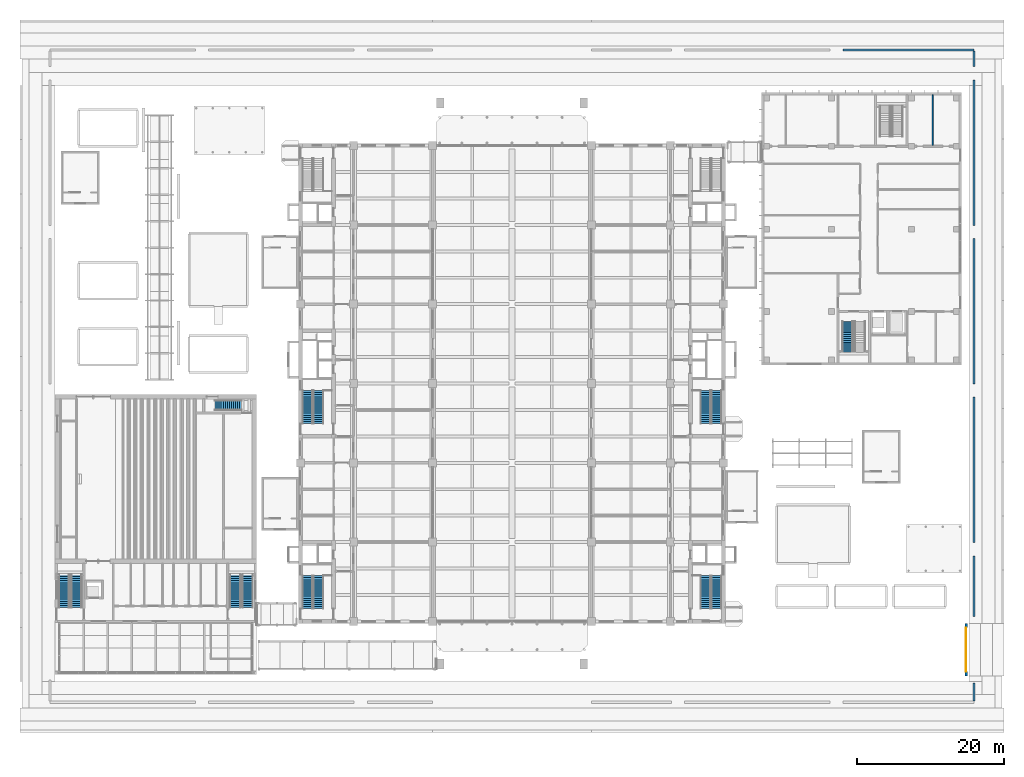
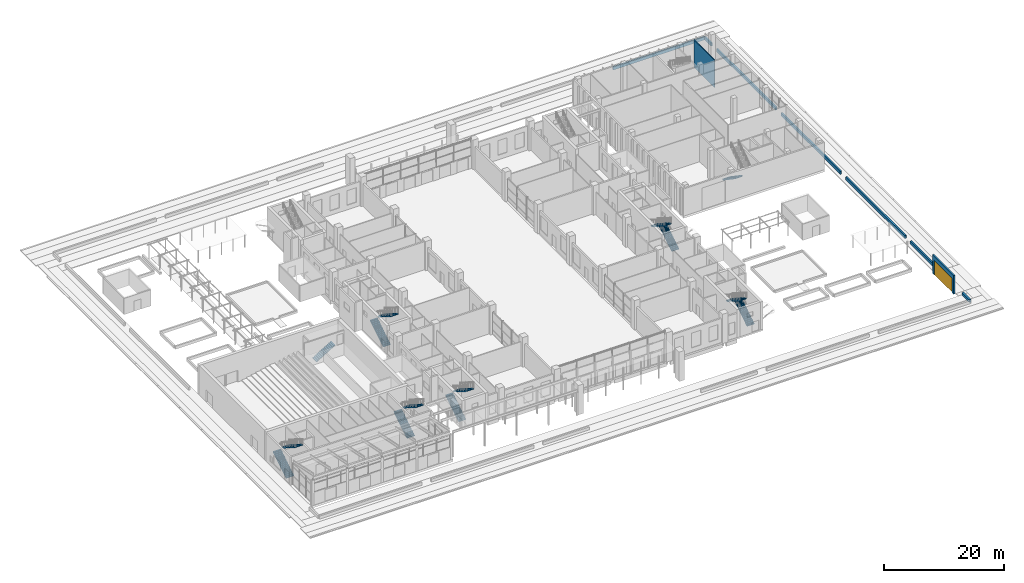
# One storey, part 58 of 71: 14 stair flights, 9 walls, 1 door, 1 opening, 8 elements without a shape of their own.
"""IFC4 building model written with IfcOpenShell, lengths in metres."""

from ifc_helpers import new_model, si_unit, direction, frame, frame_2d, origin, place, context, subcontext, project, spatial, polyline, rectangle, outline, extrude, material, layer, layer_set, type_object, element, fill, aggregate, save


model = new_model("IFC4")

# Units and contexts
model_context = context("Model", 3, precision=1e-05, world=origin(), true_north=direction((0.0, 1.0)))
body_context = subcontext(model_context, "Body", "Model", "MODEL_VIEW")
ifc_project = project(units=[si_unit("LENGTHUNIT", "METRE"), si_unit("AREAUNIT", "SQUARE_METRE"), si_unit("VOLUMEUNIT", "CUBIC_METRE"), si_unit("PLANEANGLEUNIT", "RADIAN"), si_unit("MASSUNIT", "GRAM", prefix="KILO")], contexts=[model_context])

# Site, building, storey
site_placement = place(None, origin())
site = spatial("IfcSite", under=ifc_project, at=site_placement, CompositionType="ELEMENT")
building_placement = place(site_placement, origin())
building = spatial("IfcBuilding", under=site, at=building_placement, Name="Basin Gate Institute", CompositionType="ELEMENT")
storey_placement = place(building_placement, origin())
storey = spatial("IfcBuildingStorey", under=building, at=storey_placement, Name="L00", CompositionType="ELEMENT", Elevation=0.0)

# Walls
ifc_material_1 = material(Name="Gypsum board partition on steel studs, 60 minute", Category="steel")
ifc_layer_1 = layer(ifc_material_1, 0.14990234375)
ifc_layer_set_1 = layer_set([ifc_layer_1], Name="Gypsum board partition on steel studs, 60 minute")
wall_type_1 = type_object("IfcWallType", Name="Clean block partition PW72 EI 60", PredefinedType="SOLIDWALL", material=ifc_layer_set_1)
wall_1_placement = place(storey_placement, frame((147.300048828125, 99.925048828125, 0.0), z_axis=(0.0, 0.0, 1.0), x_axis=(0.0, 1.0, 0.0)))
element("IfcWall", 1, at=wall_1_placement, inside=storey, type_object=wall_type_1, material=ifc_layer_set_1, Name="Clean block partition Cy14730-22 L00", PredefinedType="SOLIDWALL", context=body_context, shape_type="SweptSolid", body=[
    extrude(rectangle(XDim=6.875, YDim=0.14990234375, at=frame_2d((3.4375, 0.0))), origin(), (0.0, 0.0, 1.0), 5.550048828125),
])
ifc_material_2 = material(Name="Concrete 35 MPa", Category="concrete")
ifc_layer_2 = layer(ifc_material_2, 0.300048828125)
ifc_layer_set_2 = layer_set([ifc_layer_2], Name="Concrete 35 MPa")
wall_type_2 = type_object("IfcWallType", Name="Edge planter wall PL2", PredefinedType="SOLIDWALL", material=ifc_layer_set_2)
wall_2_placement = place(storey_placement, frame((135.090087890625, 112.909912109375, 0.0), z_axis=(0.0, 0.0, 1.0), x_axis=(1.0, 0.0, 0.0)))
element("IfcWall", 2, at=wall_2_placement, inside=storey, type_object=wall_type_2, material=ifc_layer_set_2, Name="Edge planter wall N12", PredefinedType="SOLIDWALL", context=body_context, shape_type="SweptSolid", body=[
    extrude(rectangle(XDim=17.81982421875, YDim=0.300048828125, at=frame_2d((8.909912109375, 0.0))), origin(), (0.0, 0.0, 1.0), 0.60009765625),
])
wall_3_placement = place(storey_placement, frame((152.909912109375, 24.239990234375, 0.0), z_axis=(0.0, 0.0, 1.0), x_axis=(0.0, 1.0, 0.0)))
element("IfcWall", 3, at=wall_3_placement, inside=storey, type_object=wall_type_2, material=ifc_layer_set_2, Name="Edge planter wall E17", PredefinedType="SOLIDWALL", context=body_context, shape_type="SweptSolid", body=[
    extrude(rectangle(XDim=2.4599609375, YDim=0.300048828125, at=frame_2d((1.22998046875, 0.0))), origin(), (0.0, 0.0, 1.0), 0.60009765625),
])
wall_4_placement = place(storey_placement, frame((152.909912109375, 35.800048828125, 0.0), z_axis=(0.0, 0.0, 1.0), x_axis=(0.0, 1.0, 0.0)))
element("IfcWall", 4, at=wall_4_placement, inside=storey, type_object=wall_type_2, material=ifc_layer_set_2, Name="Edge planter wall E18", PredefinedType="SOLIDWALL", context=body_context, shape_type="SweptSolid", body=[
    extrude(rectangle(XDim=8.239990234375, YDim=0.300048828125, at=frame_2d((4.1201171875, 0.0))), origin(), (0.0, 0.0, 1.0), 0.60009765625),
])
wall_5_placement = place(storey_placement, frame((152.909912109375, 45.840087890625, 0.0), z_axis=(0.0, 0.0, 1.0), x_axis=(0.0, 1.0, 0.0)))
element("IfcWall", 5, at=wall_5_placement, inside=storey, type_object=wall_type_2, material=ifc_layer_set_2, Name="Edge planter wall E19", PredefinedType="SOLIDWALL", context=body_context, shape_type="SweptSolid", body=[
    extrude(rectangle(XDim=19.7998046875, YDim=0.300048828125, at=frame_2d((9.89990234375, 0.0))), origin(), (0.0, 0.0, 1.0), 0.60009765625),
])
for number, where, z_axis, x_axis, name in (
    (6, (152.909912109375, 67.43994140625, 0.0), (0.0, 0.0, 1.0), (0.0, 1.0, 0.0), "Edge planter wall E20"),
    (7, (152.909912109375, 89.0400390625, 0.0), (0.0, 0.0, 1.0), (0.0, 1.0, 0.0), "Edge planter wall E21"),
):
    element("IfcWall", number, at=place(storey_placement, frame(where, z_axis=z_axis, x_axis=x_axis)), inside=storey, type_object=wall_type_2, material=ifc_layer_set_2, Name=name, PredefinedType="SOLIDWALL", context=body_context, shape_type="SweptSolid", body=[
        extrude(rectangle(XDim=19.800048828125, YDim=0.300048828125, at=frame_2d((9.89990234375, 0.0))), origin(), (0.0, 0.0, 1.0), 0.60009765625),
    ])
wall_6_placement = place(storey_placement, frame((152.909912109375, 110.639892578125, 0.0), z_axis=(0.0, 0.0, 1.0), x_axis=(0.0, 1.0, 0.0)))
element("IfcWall", 8, at=wall_6_placement, inside=storey, type_object=wall_type_2, material=ifc_layer_set_2, Name="Edge planter wall E22", PredefinedType="SOLIDWALL", context=body_context, shape_type="SweptSolid", body=[
    extrude(rectangle(XDim=2.1201171875, YDim=0.300048828125, at=frame_2d((1.06005859375, 0.0))), origin(), (0.0, 0.0, 1.0), 0.60009765625),
])

# Wall, opening, door
ifc_material_3 = material(Name="Concrete 35 MPa", Category="concrete")
ifc_layer_3 = layer(ifc_material_3, 0.300048828125)
ifc_layer_set_3 = layer_set([ifc_layer_3], Name="Concrete 35 MPa")
wall_type_3 = type_object("IfcWallType", Name="Gate wall GW1 R180", PredefinedType="SOLIDWALL", material=ifc_layer_set_3)
wall_7_placement = place(storey_placement, frame((151.85009765625, 27.699951171875, 0.0), z_axis=(0.0, 0.0, 1.0), x_axis=(0.0, 1.0, 0.0)))
wall_7 = element("IfcWall", 9, at=wall_7_placement, inside=storey, type_object=wall_type_3, material=ifc_layer_set_3, Name="Vehicle gate wall R1 R180", PredefinedType="SOLIDWALL", context=body_context, shape_type="SweptSolid", body=[
    extrude(rectangle(XDim=7.10009765625, YDim=0.300048828125, at=frame_2d((3.550048828125, 0.0))), origin(), (0.0, 0.0, 1.0), 3.800048828125),
])
opening_placement = place(wall_7_placement, frame((0.550048828125, 0.0, 0.0)))
opening = element("IfcOpeningElement", 10, at=opening_placement, cuts=wall_7, Name="Opening VG1", PredefinedType="OPENING", context=body_context, shape_type="SweptSolid", body=[
    extrude(rectangle(XDim=6.0, YDim=3.0, at=frame_2d((3.0, 1.5))), frame((0.0, 0.16015625, 0.0), z_axis=(0.0, -1.0, 0.0), x_axis=(1.0, 0.0, 0.0)), (0.0, 0.0, 1.0), 0.320068359375),
])
ifc_material_4 = material(Name="Galvanised steel", Category="steel")
door_type = type_object("IfcDoorType", Name="Vehicle gate VG1", OperationType="SLIDING_TO_LEFT", PredefinedType="GATE", material=ifc_material_4)
door_placement = place(opening_placement, origin())
door = element("IfcDoor", 11, at=door_placement, inside=storey, type_object=door_type, material=ifc_material_4, Name="Vehicle gate VG1", OperationType="SLIDING_TO_LEFT", OverallHeight=3.0, OverallWidth=6.0, PredefinedType="GATE", context=body_context, shape_type="SweptSolid", body=[
    extrude(rectangle(XDim=6.0, YDim=3.0, at=frame_2d((3.0, 1.5))), frame((0.0, 0.02490234375, 0.0), z_axis=(0.0, -1.0, 0.0), x_axis=(1.0, 0.0, 0.0)), (0.0, 0.0, 1.0), 0.050048828125),
])
fill(opening, door)

# Stair, stair flights
ifc_material_5 = material(Name="Concrete 40 MPa", Category="concrete")
stair_type_1 = type_object("IfcStairType", Name="Block stair ST", PredefinedType="HALF_TURN_STAIR", material=ifc_material_5)
stair_1_placement = place(storey_placement, origin())
stair_1 = element("IfcStair", 12, at=stair_1_placement, inside=storey, type_object=stair_type_1, material=ifc_material_5, Name="Theatre stair ST-T1 L00", PredefinedType="HALF_TURN_STAIR")
ifc_material_6 = material(Name="Concrete 40 MPa", Category="concrete")
stair_flight_type_1 = type_object("IfcStairFlightType", Name="Block stair flight", PredefinedType="STRAIGHT", material=ifc_material_6)
stair_flight_1_placement = place(storey_placement, frame((28.987548828125, 37.0, 0.0), z_axis=(0.0, 0.0, 1.0), x_axis=(0.0, 1.0, 0.0)))
stair_flight_1 = element("IfcStairFlight", 13, at=stair_flight_1_placement, type_object=stair_flight_type_1, material=ifc_material_6, Name="ST-T1 flight 1", NumberOfRisers=17, NumberOfTreads=16, PredefinedType="STRAIGHT", RiserHeight=0.176470588, TreadLength=0.28, context=body_context, shape_type="SweptSolid", body=[
    extrude(outline(polyline([(0.0, 0.0), (0.0, 0.176513671875), (0.280029296875, 0.176513671875), (0.280029296875, 0.35302734375), (0.56005859375, 0.35302734375), (0.56005859375, 0.529296875), (0.840087890625, 0.529296875), (0.840087890625, 0.705810546875), (1.1201171875, 0.705810546875), (1.1201171875, 0.88232421875), (1.39990234375, 0.88232421875), (1.39990234375, 1.058837890625), (1.679931640625, 1.058837890625), (1.679931640625, 1.2353515625), (1.9599609375, 1.2353515625), (1.9599609375, 1.411865234375), (2.239990234375, 1.411865234375), (2.239990234375, 1.588134765625), (2.52001953125, 1.588134765625), (2.52001953125, 1.7646484375), (2.800048828125, 1.7646484375), (2.800048828125, 1.941162109375), (3.080078125, 1.941162109375), (3.080078125, 2.11767578125), (3.360107421875, 2.11767578125), (3.360107421875, 2.294189453125), (3.639892578125, 2.294189453125), (3.639892578125, 2.470703125), (3.919921875, 2.470703125), (3.919921875, 2.64697265625), (4.199951171875, 2.64697265625), (4.199951171875, 2.823486328125), (4.47998046875, 2.823486328125), (4.47998046875, 3.0), (4.47998046875, 2.646240234375), (0.28125, 0.0), (0.0, 0.0)])), frame((0.0, 0.75, 0.0), z_axis=(0.0, -1.0, 0.0), x_axis=(1.0, 0.0, 0.0)), (0.0, 0.0, 1.0), 1.5),
])
stair_flight_2_placement = place(storey_placement, frame((30.6875, 41.47998046875, 3.0), z_axis=(0.0, 0.0, 1.0), x_axis=(0.0, -1.0, 0.0)))
stair_flight_2 = element("IfcStairFlight", 14, at=stair_flight_2_placement, type_object=stair_flight_type_1, material=ifc_material_6, Name="ST-T1 flight 2", NumberOfRisers=17, NumberOfTreads=16, PredefinedType="STRAIGHT", RiserHeight=0.176470588, TreadLength=0.28, context=body_context, shape_type="SweptSolid", body=[
    extrude(outline(polyline([(0.0, 0.0), (0.0, 0.176513671875), (0.280029296875, 0.176513671875), (0.280029296875, 0.35302734375), (0.56005859375, 0.35302734375), (0.56005859375, 0.529296875), (0.840087890625, 0.529296875), (0.840087890625, 0.705810546875), (1.1201171875, 0.705810546875), (1.1201171875, 0.88232421875), (1.39990234375, 0.88232421875), (1.39990234375, 1.058837890625), (1.679931640625, 1.058837890625), (1.679931640625, 1.2353515625), (1.9599609375, 1.2353515625), (1.9599609375, 1.411865234375), (2.239990234375, 1.411865234375), (2.239990234375, 1.588134765625), (2.52001953125, 1.588134765625), (2.52001953125, 1.7646484375), (2.800048828125, 1.7646484375), (2.800048828125, 1.941162109375), (3.080078125, 1.941162109375), (3.080078125, 2.11767578125), (3.360107421875, 2.11767578125), (3.360107421875, 2.294189453125), (3.639892578125, 2.294189453125), (3.639892578125, 2.470703125), (3.919921875, 2.470703125), (3.919921875, 2.64697265625), (4.199951171875, 2.64697265625), (4.199951171875, 2.823486328125), (4.47998046875, 2.823486328125), (4.47998046875, 3.0), (4.47998046875, 2.646240234375), (0.28125, 0.0), (0.0, 0.0)])), frame((0.0, 0.75, 0.0), z_axis=(0.0, -1.0, 0.0), x_axis=(1.0, 0.0, 0.0)), (0.0, 0.0, 1.0), 1.5),
])
aggregate(stair_1, [stair_flight_1, stair_flight_2])

stair_2_placement = place(storey_placement, origin())
stair_2 = element("IfcStair", 15, at=stair_2_placement, inside=storey, type_object=stair_type_1, material=ifc_material_5, Name="Theatre stair ST-T3 L00", PredefinedType="HALF_TURN_STAIR")
stair_flight_3_placement = place(storey_placement, frame((52.3125, 37.0, 0.0), z_axis=(0.0, 0.0, 1.0), x_axis=(0.0, 1.0, 0.0)))
stair_flight_3 = element("IfcStairFlight", 16, at=stair_flight_3_placement, type_object=stair_flight_type_1, material=ifc_material_6, Name="ST-T3 flight 1", NumberOfRisers=17, NumberOfTreads=16, PredefinedType="STRAIGHT", RiserHeight=0.176470588, TreadLength=0.28, context=body_context, shape_type="SweptSolid", body=[
    extrude(outline(polyline([(0.0, 0.0), (0.0, 0.176513671875), (0.280029296875, 0.176513671875), (0.280029296875, 0.35302734375), (0.56005859375, 0.35302734375), (0.56005859375, 0.529296875), (0.840087890625, 0.529296875), (0.840087890625, 0.705810546875), (1.1201171875, 0.705810546875), (1.1201171875, 0.88232421875), (1.39990234375, 0.88232421875), (1.39990234375, 1.058837890625), (1.679931640625, 1.058837890625), (1.679931640625, 1.2353515625), (1.9599609375, 1.2353515625), (1.9599609375, 1.411865234375), (2.239990234375, 1.411865234375), (2.239990234375, 1.588134765625), (2.52001953125, 1.588134765625), (2.52001953125, 1.7646484375), (2.800048828125, 1.7646484375), (2.800048828125, 1.941162109375), (3.080078125, 1.941162109375), (3.080078125, 2.11767578125), (3.360107421875, 2.11767578125), (3.360107421875, 2.294189453125), (3.639892578125, 2.294189453125), (3.639892578125, 2.470703125), (3.919921875, 2.470703125), (3.919921875, 2.64697265625), (4.199951171875, 2.64697265625), (4.199951171875, 2.823486328125), (4.47998046875, 2.823486328125), (4.47998046875, 3.0), (4.47998046875, 2.646240234375), (0.28125, 0.0), (0.0, 0.0)])), frame((0.0, 0.75, 0.0), z_axis=(0.0, -1.0, 0.0), x_axis=(1.0, 0.0, 0.0)), (0.0, 0.0, 1.0), 1.5),
])
stair_flight_4_placement = place(storey_placement, frame((54.012451171875, 41.47998046875, 3.0), z_axis=(0.0, 0.0, 1.0), x_axis=(0.0, -1.0, 0.0)))
stair_flight_4 = element("IfcStairFlight", 17, at=stair_flight_4_placement, type_object=stair_flight_type_1, material=ifc_material_6, Name="ST-T3 flight 2", NumberOfRisers=17, NumberOfTreads=16, PredefinedType="STRAIGHT", RiserHeight=0.176470588, TreadLength=0.28, context=body_context, shape_type="SweptSolid", body=[
    extrude(outline(polyline([(0.0, 0.0), (0.0, 0.176513671875), (0.280029296875, 0.176513671875), (0.280029296875, 0.35302734375), (0.56005859375, 0.35302734375), (0.56005859375, 0.529296875), (0.840087890625, 0.529296875), (0.840087890625, 0.705810546875), (1.1201171875, 0.705810546875), (1.1201171875, 0.88232421875), (1.39990234375, 0.88232421875), (1.39990234375, 1.058837890625), (1.679931640625, 1.058837890625), (1.679931640625, 1.2353515625), (1.9599609375, 1.2353515625), (1.9599609375, 1.411865234375), (2.239990234375, 1.411865234375), (2.239990234375, 1.588134765625), (2.52001953125, 1.588134765625), (2.52001953125, 1.7646484375), (2.800048828125, 1.7646484375), (2.800048828125, 1.941162109375), (3.080078125, 1.941162109375), (3.080078125, 2.11767578125), (3.360107421875, 2.11767578125), (3.360107421875, 2.294189453125), (3.639892578125, 2.294189453125), (3.639892578125, 2.470703125), (3.919921875, 2.470703125), (3.919921875, 2.64697265625), (4.199951171875, 2.64697265625), (4.199951171875, 2.823486328125), (4.47998046875, 2.823486328125), (4.47998046875, 3.0), (4.47998046875, 2.646240234375), (0.28125, 0.0), (0.0, 0.0)])), frame((0.0, 0.75, 0.0), z_axis=(0.0, -1.0, 0.0), x_axis=(1.0, 0.0, 0.0)), (0.0, 0.0, 1.0), 1.5),
])
aggregate(stair_2, [stair_flight_3, stair_flight_4])

# Stair, stair flight
stair_3_placement = place(storey_placement, origin())
stair_3 = element("IfcStair", 18, at=stair_3_placement, inside=storey, type_object=stair_type_1, material=ifc_material_5, Name="Clean block stair ST-C1 L00", PredefinedType="HALF_TURN_STAIR")
stair_flight_5_placement = place(storey_placement, frame((135.699951171875, 75.97509765625, 0.0), z_axis=(0.0, 0.0, 1.0), x_axis=(0.0, -1.0, 0.0)))
stair_flight_5 = element("IfcStairFlight", 19, at=stair_flight_5_placement, type_object=stair_flight_type_1, material=ifc_material_6, Name="ST-C1 flight 1", NumberOfRisers=17, NumberOfTreads=16, PredefinedType="STRAIGHT", RiserHeight=0.176470588, TreadLength=0.26, context=body_context, shape_type="SweptSolid", body=[
    extrude(outline(polyline([(0.0, 0.0), (0.0, 0.176513671875), (0.260009765625, 0.176513671875), (0.260009765625, 0.35302734375), (0.52001953125, 0.35302734375), (0.52001953125, 0.529296875), (0.780029296875, 0.529296875), (0.780029296875, 0.705810546875), (1.0400390625, 0.705810546875), (1.0400390625, 0.88232421875), (1.300048828125, 0.88232421875), (1.300048828125, 1.058837890625), (1.56005859375, 1.058837890625), (1.56005859375, 1.2353515625), (1.820068359375, 1.2353515625), (1.820068359375, 1.411865234375), (2.080078125, 1.411865234375), (2.080078125, 1.588134765625), (2.340087890625, 1.588134765625), (2.340087890625, 1.7646484375), (2.60009765625, 1.7646484375), (2.60009765625, 1.941162109375), (2.860107421875, 1.941162109375), (2.860107421875, 2.11767578125), (3.1201171875, 2.11767578125), (3.1201171875, 2.294189453125), (3.3798828125, 2.294189453125), (3.3798828125, 2.470703125), (3.639892578125, 2.470703125), (3.639892578125, 2.64697265625), (3.89990234375, 2.64697265625), (3.89990234375, 2.823486328125), (4.159912109375, 2.823486328125), (4.159912109375, 3.0), (4.159912109375, 2.642333984375), (0.266845703125, 0.0), (0.0, 0.0)])), frame((0.0, 0.75, 0.0), z_axis=(0.0, -1.0, 0.0), x_axis=(1.0, 0.0, 0.0)), (0.0, 0.0, 1.0), 1.5),
])
aggregate(stair_3, [stair_flight_5])

ifc_material_7 = material(Name="Concrete 40 MPa", Category="concrete")
stair_type_2 = type_object("IfcStairType", Name="Block stair straight ST", PredefinedType="STRAIGHT_RUN_STAIR", material=ifc_material_7)
stair_4_placement = place(storey_placement, origin())
stair_4 = element("IfcStair", 20, at=stair_4_placement, inside=storey, type_object=stair_type_2, material=ifc_material_7, Name="Theatre rear stair ST-T7 L00", PredefinedType="STRAIGHT_RUN_STAIR")
ifc_material_8 = material(Name="Structural steel SN490", Category="steel")
stair_flight_type_2 = type_object("IfcStairFlightType", Name="Block steel stair flight", PredefinedType="STRAIGHT", material=ifc_material_8)
stair_flight_6_placement = place(storey_placement, frame((49.56005859375, 64.512451171875, 0.0), z_axis=(0.0, 0.0, 1.0), x_axis=(1.0, 0.0, 0.0)))
stair_flight_6 = element("IfcStairFlight", 21, at=stair_flight_6_placement, type_object=stair_flight_type_2, material=ifc_material_8, Name="ST-T7 flight 1", NumberOfRisers=14, NumberOfTreads=13, PredefinedType="STRAIGHT", RiserHeight=0.171428571, TreadLength=0.28, context=body_context, shape_type="SweptSolid", body=[
    extrude(outline(polyline([(0.0, 0.0), (0.0, 0.17138671875), (0.280029296875, 0.17138671875), (0.280029296875, 0.3427734375), (0.56005859375, 0.3427734375), (0.56005859375, 0.514404296875), (0.840087890625, 0.514404296875), (0.840087890625, 0.685791015625), (1.1201171875, 0.685791015625), (1.1201171875, 0.857177734375), (1.39990234375, 0.857177734375), (1.39990234375, 1.028564453125), (1.679931640625, 1.028564453125), (1.679931640625, 1.199951171875), (1.9599609375, 1.199951171875), (1.9599609375, 1.371337890625), (2.239990234375, 1.371337890625), (2.239990234375, 1.54296875), (2.52001953125, 1.54296875), (2.52001953125, 1.71435546875), (2.800048828125, 1.71435546875), (2.800048828125, 1.8857421875), (3.080078125, 1.8857421875), (3.080078125, 2.05712890625), (3.360107421875, 2.05712890625), (3.360107421875, 2.228515625), (3.639892578125, 2.228515625), (3.639892578125, 2.39990234375), (3.639892578125, 2.169921875), (0.095947265625, 0.0), (0.0, 0.0)])), frame((0.0, 0.699951171875, 0.0), z_axis=(0.0, -1.0, 0.0), x_axis=(1.0, 0.0, 0.0)), (0.0, 0.0, 1.0), 1.39990234375),
])
aggregate(stair_4, [stair_flight_6])

# Stair, stair flights
ifc_material_9 = material(Name="Concrete 40 MPa", Category="concrete")
stair_type_3 = type_object("IfcStairType", Name="Stair ST", PredefinedType="HALF_TURN_STAIR", material=ifc_material_9)
stair_5_placement = place(storey_placement, origin())
stair_5 = element("IfcStair", 22, at=stair_5_placement, inside=storey, type_object=stair_type_3, material=ifc_material_9, Name="Special safe stair ST-WS L00", PredefinedType="HALF_TURN_STAIR")
ifc_material_10 = material(Name="Concrete 40 MPa", Category="concrete")
stair_flight_type_3 = type_object("IfcStairFlightType", Name="Stair flight FL", PredefinedType="STRAIGHT", material=ifc_material_10)
stair_flight_7_placement = place(storey_placement, frame((62.14990234375, 36.85009765625, 0.0), z_axis=(0.0, 0.0, 1.0), x_axis=(0.0, 1.0, 0.0)))
stair_flight_7 = element("IfcStairFlight", 23, at=stair_flight_7_placement, type_object=stair_flight_type_3, material=ifc_material_10, Name="Stair flight ST-WS-F1 L00", NumberOfRisers=17, NumberOfTreads=16, PredefinedType="STRAIGHT", RiserHeight=0.176470588, TreadLength=0.28, context=body_context, shape_type="SweptSolid", body=[
    extrude(outline(polyline([(0.0, 0.0), (0.0, 0.176513671875), (0.280029296875, 0.176513671875), (0.280029296875, 0.35302734375), (0.56005859375, 0.35302734375), (0.56005859375, 0.529296875), (0.840087890625, 0.529296875), (0.840087890625, 0.705810546875), (1.1201171875, 0.705810546875), (1.1201171875, 0.88232421875), (1.39990234375, 0.88232421875), (1.39990234375, 1.058837890625), (1.679931640625, 1.058837890625), (1.679931640625, 1.2353515625), (1.9599609375, 1.2353515625), (1.9599609375, 1.411865234375), (2.239990234375, 1.411865234375), (2.239990234375, 1.588134765625), (2.52001953125, 1.588134765625), (2.52001953125, 1.7646484375), (2.800048828125, 1.7646484375), (2.800048828125, 1.941162109375), (3.080078125, 1.941162109375), (3.080078125, 2.11767578125), (3.360107421875, 2.11767578125), (3.360107421875, 2.294189453125), (3.639892578125, 2.294189453125), (3.639892578125, 2.470703125), (3.919921875, 2.470703125), (3.919921875, 2.64697265625), (4.199951171875, 2.64697265625), (4.199951171875, 2.823486328125), (4.47998046875, 2.823486328125), (4.47998046875, 3.0), (4.47998046875, 2.646240234375), (0.28125, 0.0), (0.0, 0.0)])), frame((0.0, 0.699951171875, 0.0), z_axis=(0.0, -1.0, 0.0), x_axis=(1.0, 0.0, 0.0)), (0.0, 0.0, 1.0), 1.39990234375),
])
stair_flight_8_placement = place(storey_placement, frame((63.64990234375, 41.330078125, 3.0), z_axis=(0.0, 0.0, 1.0), x_axis=(0.0, -1.0, 0.0)))
stair_flight_8 = element("IfcStairFlight", 24, at=stair_flight_8_placement, type_object=stair_flight_type_3, material=ifc_material_10, Name="Stair flight ST-WS-F2 L00", NumberOfRisers=17, NumberOfTreads=16, PredefinedType="STRAIGHT", RiserHeight=0.176470588, TreadLength=0.28, context=body_context, shape_type="SweptSolid", body=[
    extrude(outline(polyline([(0.0, 0.0), (0.0, 0.176513671875), (0.280029296875, 0.176513671875), (0.280029296875, 0.35302734375), (0.56005859375, 0.35302734375), (0.56005859375, 0.529296875), (0.840087890625, 0.529296875), (0.840087890625, 0.705810546875), (1.1201171875, 0.705810546875), (1.1201171875, 0.88232421875), (1.39990234375, 0.88232421875), (1.39990234375, 1.058837890625), (1.679931640625, 1.058837890625), (1.679931640625, 1.2353515625), (1.9599609375, 1.2353515625), (1.9599609375, 1.411865234375), (2.239990234375, 1.411865234375), (2.239990234375, 1.588134765625), (2.52001953125, 1.588134765625), (2.52001953125, 1.7646484375), (2.800048828125, 1.7646484375), (2.800048828125, 1.941162109375), (3.080078125, 1.941162109375), (3.080078125, 2.11767578125), (3.360107421875, 2.11767578125), (3.360107421875, 2.294189453125), (3.639892578125, 2.294189453125), (3.639892578125, 2.470703125), (3.919921875, 2.470703125), (3.919921875, 2.64697265625), (4.199951171875, 2.64697265625), (4.199951171875, 2.823486328125), (4.47998046875, 2.823486328125), (4.47998046875, 3.0), (4.47998046875, 2.646240234375), (0.28125, 0.0), (0.0, 0.0)])), frame((0.0, 0.699951171875, 0.0), z_axis=(0.0, -1.0, 0.0), x_axis=(1.0, 0.0, 0.0)), (0.0, 0.0, 1.0), 1.39990234375),
])
aggregate(stair_5, [stair_flight_7, stair_flight_8])

stair_6_placement = place(storey_placement, origin())
stair_6 = element("IfcStair", 25, at=stair_6_placement, inside=storey, type_object=stair_type_3, material=ifc_material_9, Name="Special safe stair ST-WM L00", PredefinedType="HALF_TURN_STAIR")
stair_flight_9_placement = place(storey_placement, frame((62.14990234375, 62.050048828125, 0.0), z_axis=(0.0, 0.0, 1.0), x_axis=(0.0, 1.0, 0.0)))
stair_flight_9 = element("IfcStairFlight", 26, at=stair_flight_9_placement, type_object=stair_flight_type_3, material=ifc_material_10, Name="Stair flight ST-WM-F1 L00", NumberOfRisers=17, NumberOfTreads=16, PredefinedType="STRAIGHT", RiserHeight=0.176470588, TreadLength=0.28, context=body_context, shape_type="SweptSolid", body=[
    extrude(outline(polyline([(0.0, 0.0), (0.0, 0.176513671875), (0.280029296875, 0.176513671875), (0.280029296875, 0.35302734375), (0.56005859375, 0.35302734375), (0.56005859375, 0.529296875), (0.840087890625, 0.529296875), (0.840087890625, 0.705810546875), (1.1201171875, 0.705810546875), (1.1201171875, 0.88232421875), (1.39990234375, 0.88232421875), (1.39990234375, 1.058837890625), (1.679931640625, 1.058837890625), (1.679931640625, 1.2353515625), (1.9599609375, 1.2353515625), (1.9599609375, 1.411865234375), (2.239990234375, 1.411865234375), (2.239990234375, 1.588134765625), (2.52001953125, 1.588134765625), (2.52001953125, 1.7646484375), (2.800048828125, 1.7646484375), (2.800048828125, 1.941162109375), (3.080078125, 1.941162109375), (3.080078125, 2.11767578125), (3.360107421875, 2.11767578125), (3.360107421875, 2.294189453125), (3.639892578125, 2.294189453125), (3.639892578125, 2.470703125), (3.919921875, 2.470703125), (3.919921875, 2.64697265625), (4.199951171875, 2.64697265625), (4.199951171875, 2.823486328125), (4.47998046875, 2.823486328125), (4.47998046875, 3.0), (4.47998046875, 2.646240234375), (0.28125, 0.0), (0.0, 0.0)])), frame((0.0, 0.699951171875, 0.0), z_axis=(0.0, -1.0, 0.0), x_axis=(1.0, 0.0, 0.0)), (0.0, 0.0, 1.0), 1.39990234375),
])
stair_flight_10_placement = place(storey_placement, frame((63.64990234375, 66.530029296875, 3.0), z_axis=(0.0, 0.0, 1.0), x_axis=(0.0, -1.0, 0.0)))
stair_flight_10 = element("IfcStairFlight", 27, at=stair_flight_10_placement, type_object=stair_flight_type_3, material=ifc_material_10, Name="Stair flight ST-WM-F2 L00", NumberOfRisers=17, NumberOfTreads=16, PredefinedType="STRAIGHT", RiserHeight=0.176470588, TreadLength=0.28, context=body_context, shape_type="SweptSolid", body=[
    extrude(outline(polyline([(0.0, 0.0), (0.0, 0.176513671875), (0.280029296875, 0.176513671875), (0.280029296875, 0.35302734375), (0.56005859375, 0.35302734375), (0.56005859375, 0.529296875), (0.840087890625, 0.529296875), (0.840087890625, 0.705810546875), (1.1201171875, 0.705810546875), (1.1201171875, 0.88232421875), (1.39990234375, 0.88232421875), (1.39990234375, 1.058837890625), (1.679931640625, 1.058837890625), (1.679931640625, 1.2353515625), (1.9599609375, 1.2353515625), (1.9599609375, 1.411865234375), (2.239990234375, 1.411865234375), (2.239990234375, 1.588134765625), (2.52001953125, 1.588134765625), (2.52001953125, 1.7646484375), (2.800048828125, 1.7646484375), (2.800048828125, 1.941162109375), (3.080078125, 1.941162109375), (3.080078125, 2.11767578125), (3.360107421875, 2.11767578125), (3.360107421875, 2.294189453125), (3.639892578125, 2.294189453125), (3.639892578125, 2.470703125), (3.919921875, 2.470703125), (3.919921875, 2.64697265625), (4.199951171875, 2.64697265625), (4.199951171875, 2.823486328125), (4.47998046875, 2.823486328125), (4.47998046875, 3.0), (4.47998046875, 2.646240234375), (0.28125, 0.0), (0.0, 0.0)])), frame((0.0, 0.699951171875, 0.0), z_axis=(0.0, -1.0, 0.0), x_axis=(1.0, 0.0, 0.0)), (0.0, 0.0, 1.0), 1.39990234375),
])
aggregate(stair_6, [stair_flight_9, stair_flight_10])

stair_7_placement = place(storey_placement, origin())
stair_7 = element("IfcStair", 28, at=stair_7_placement, inside=storey, type_object=stair_type_3, material=ifc_material_9, Name="Special safe stair ST-ES L00", PredefinedType="HALF_TURN_STAIR")
stair_flight_11_placement = place(storey_placement, frame((117.85009765625, 36.85009765625, 0.0), z_axis=(0.0, 0.0, 1.0), x_axis=(0.0, 1.0, 0.0)))
stair_flight_11 = element("IfcStairFlight", 29, at=stair_flight_11_placement, type_object=stair_flight_type_3, material=ifc_material_10, Name="Stair flight ST-ES-F1 L00", NumberOfRisers=17, NumberOfTreads=16, PredefinedType="STRAIGHT", RiserHeight=0.176470588, TreadLength=0.28, context=body_context, shape_type="SweptSolid", body=[
    extrude(outline(polyline([(0.0, 0.0), (0.0, 0.176513671875), (0.280029296875, 0.176513671875), (0.280029296875, 0.35302734375), (0.56005859375, 0.35302734375), (0.56005859375, 0.529296875), (0.840087890625, 0.529296875), (0.840087890625, 0.705810546875), (1.1201171875, 0.705810546875), (1.1201171875, 0.88232421875), (1.39990234375, 0.88232421875), (1.39990234375, 1.058837890625), (1.679931640625, 1.058837890625), (1.679931640625, 1.2353515625), (1.9599609375, 1.2353515625), (1.9599609375, 1.411865234375), (2.239990234375, 1.411865234375), (2.239990234375, 1.588134765625), (2.52001953125, 1.588134765625), (2.52001953125, 1.7646484375), (2.800048828125, 1.7646484375), (2.800048828125, 1.941162109375), (3.080078125, 1.941162109375), (3.080078125, 2.11767578125), (3.360107421875, 2.11767578125), (3.360107421875, 2.294189453125), (3.639892578125, 2.294189453125), (3.639892578125, 2.470703125), (3.919921875, 2.470703125), (3.919921875, 2.64697265625), (4.199951171875, 2.64697265625), (4.199951171875, 2.823486328125), (4.47998046875, 2.823486328125), (4.47998046875, 3.0), (4.47998046875, 2.646240234375), (0.28125, 0.0), (0.0, 0.0)])), frame((0.0, 0.699951171875, 0.0), z_axis=(0.0, -1.0, 0.0), x_axis=(1.0, 0.0, 0.0)), (0.0, 0.0, 1.0), 1.39990234375),
])
stair_flight_12_placement = place(storey_placement, frame((116.35009765625, 41.330078125, 3.0), z_axis=(0.0, 0.0, 1.0), x_axis=(0.0, -1.0, 0.0)))
stair_flight_12 = element("IfcStairFlight", 30, at=stair_flight_12_placement, type_object=stair_flight_type_3, material=ifc_material_10, Name="Stair flight ST-ES-F2 L00", NumberOfRisers=17, NumberOfTreads=16, PredefinedType="STRAIGHT", RiserHeight=0.176470588, TreadLength=0.28, context=body_context, shape_type="SweptSolid", body=[
    extrude(outline(polyline([(0.0, 0.0), (0.0, 0.176513671875), (0.280029296875, 0.176513671875), (0.280029296875, 0.35302734375), (0.56005859375, 0.35302734375), (0.56005859375, 0.529296875), (0.840087890625, 0.529296875), (0.840087890625, 0.705810546875), (1.1201171875, 0.705810546875), (1.1201171875, 0.88232421875), (1.39990234375, 0.88232421875), (1.39990234375, 1.058837890625), (1.679931640625, 1.058837890625), (1.679931640625, 1.2353515625), (1.9599609375, 1.2353515625), (1.9599609375, 1.411865234375), (2.239990234375, 1.411865234375), (2.239990234375, 1.588134765625), (2.52001953125, 1.588134765625), (2.52001953125, 1.7646484375), (2.800048828125, 1.7646484375), (2.800048828125, 1.941162109375), (3.080078125, 1.941162109375), (3.080078125, 2.11767578125), (3.360107421875, 2.11767578125), (3.360107421875, 2.294189453125), (3.639892578125, 2.294189453125), (3.639892578125, 2.470703125), (3.919921875, 2.470703125), (3.919921875, 2.64697265625), (4.199951171875, 2.64697265625), (4.199951171875, 2.823486328125), (4.47998046875, 2.823486328125), (4.47998046875, 3.0), (4.47998046875, 2.646240234375), (0.28125, 0.0), (0.0, 0.0)])), frame((0.0, 0.699951171875, 0.0), z_axis=(0.0, -1.0, 0.0), x_axis=(1.0, 0.0, 0.0)), (0.0, 0.0, 1.0), 1.39990234375),
])
aggregate(stair_7, [stair_flight_11, stair_flight_12])

stair_8_placement = place(storey_placement, origin())
stair_8 = element("IfcStair", 31, at=stair_8_placement, inside=storey, type_object=stair_type_3, material=ifc_material_9, Name="Special safe stair ST-EM L00", PredefinedType="HALF_TURN_STAIR")
stair_flight_13_placement = place(storey_placement, frame((117.85009765625, 62.050048828125, 0.0), z_axis=(0.0, 0.0, 1.0), x_axis=(0.0, 1.0, 0.0)))
stair_flight_13 = element("IfcStairFlight", 32, at=stair_flight_13_placement, type_object=stair_flight_type_3, material=ifc_material_10, Name="Stair flight ST-EM-F1 L00", NumberOfRisers=17, NumberOfTreads=16, PredefinedType="STRAIGHT", RiserHeight=0.176470588, TreadLength=0.28, context=body_context, shape_type="SweptSolid", body=[
    extrude(outline(polyline([(0.0, 0.0), (0.0, 0.176513671875), (0.280029296875, 0.176513671875), (0.280029296875, 0.35302734375), (0.56005859375, 0.35302734375), (0.56005859375, 0.529296875), (0.840087890625, 0.529296875), (0.840087890625, 0.705810546875), (1.1201171875, 0.705810546875), (1.1201171875, 0.88232421875), (1.39990234375, 0.88232421875), (1.39990234375, 1.058837890625), (1.679931640625, 1.058837890625), (1.679931640625, 1.2353515625), (1.9599609375, 1.2353515625), (1.9599609375, 1.411865234375), (2.239990234375, 1.411865234375), (2.239990234375, 1.588134765625), (2.52001953125, 1.588134765625), (2.52001953125, 1.7646484375), (2.800048828125, 1.7646484375), (2.800048828125, 1.941162109375), (3.080078125, 1.941162109375), (3.080078125, 2.11767578125), (3.360107421875, 2.11767578125), (3.360107421875, 2.294189453125), (3.639892578125, 2.294189453125), (3.639892578125, 2.470703125), (3.919921875, 2.470703125), (3.919921875, 2.64697265625), (4.199951171875, 2.64697265625), (4.199951171875, 2.823486328125), (4.47998046875, 2.823486328125), (4.47998046875, 3.0), (4.47998046875, 2.646240234375), (0.28125, 0.0), (0.0, 0.0)])), frame((0.0, 0.699951171875, 0.0), z_axis=(0.0, -1.0, 0.0), x_axis=(1.0, 0.0, 0.0)), (0.0, 0.0, 1.0), 1.39990234375),
])
stair_flight_14_placement = place(storey_placement, frame((116.35009765625, 66.530029296875, 3.0), z_axis=(0.0, 0.0, 1.0), x_axis=(0.0, -1.0, 0.0)))
stair_flight_14 = element("IfcStairFlight", 33, at=stair_flight_14_placement, type_object=stair_flight_type_3, material=ifc_material_10, Name="Stair flight ST-EM-F2 L00", NumberOfRisers=17, NumberOfTreads=16, PredefinedType="STRAIGHT", RiserHeight=0.176470588, TreadLength=0.28, context=body_context, shape_type="SweptSolid", body=[
    extrude(outline(polyline([(0.0, 0.0), (0.0, 0.176513671875), (0.280029296875, 0.176513671875), (0.280029296875, 0.35302734375), (0.56005859375, 0.35302734375), (0.56005859375, 0.529296875), (0.840087890625, 0.529296875), (0.840087890625, 0.705810546875), (1.1201171875, 0.705810546875), (1.1201171875, 0.88232421875), (1.39990234375, 0.88232421875), (1.39990234375, 1.058837890625), (1.679931640625, 1.058837890625), (1.679931640625, 1.2353515625), (1.9599609375, 1.2353515625), (1.9599609375, 1.411865234375), (2.239990234375, 1.411865234375), (2.239990234375, 1.588134765625), (2.52001953125, 1.588134765625), (2.52001953125, 1.7646484375), (2.800048828125, 1.7646484375), (2.800048828125, 1.941162109375), (3.080078125, 1.941162109375), (3.080078125, 2.11767578125), (3.360107421875, 2.11767578125), (3.360107421875, 2.294189453125), (3.639892578125, 2.294189453125), (3.639892578125, 2.470703125), (3.919921875, 2.470703125), (3.919921875, 2.64697265625), (4.199951171875, 2.64697265625), (4.199951171875, 2.823486328125), (4.47998046875, 2.823486328125), (4.47998046875, 3.0), (4.47998046875, 2.646240234375), (0.28125, 0.0), (0.0, 0.0)])), frame((0.0, 0.699951171875, 0.0), z_axis=(0.0, -1.0, 0.0), x_axis=(1.0, 0.0, 0.0)), (0.0, 0.0, 1.0), 1.39990234375),
])
aggregate(stair_8, [stair_flight_13, stair_flight_14])

save(model, "model.ifc")
